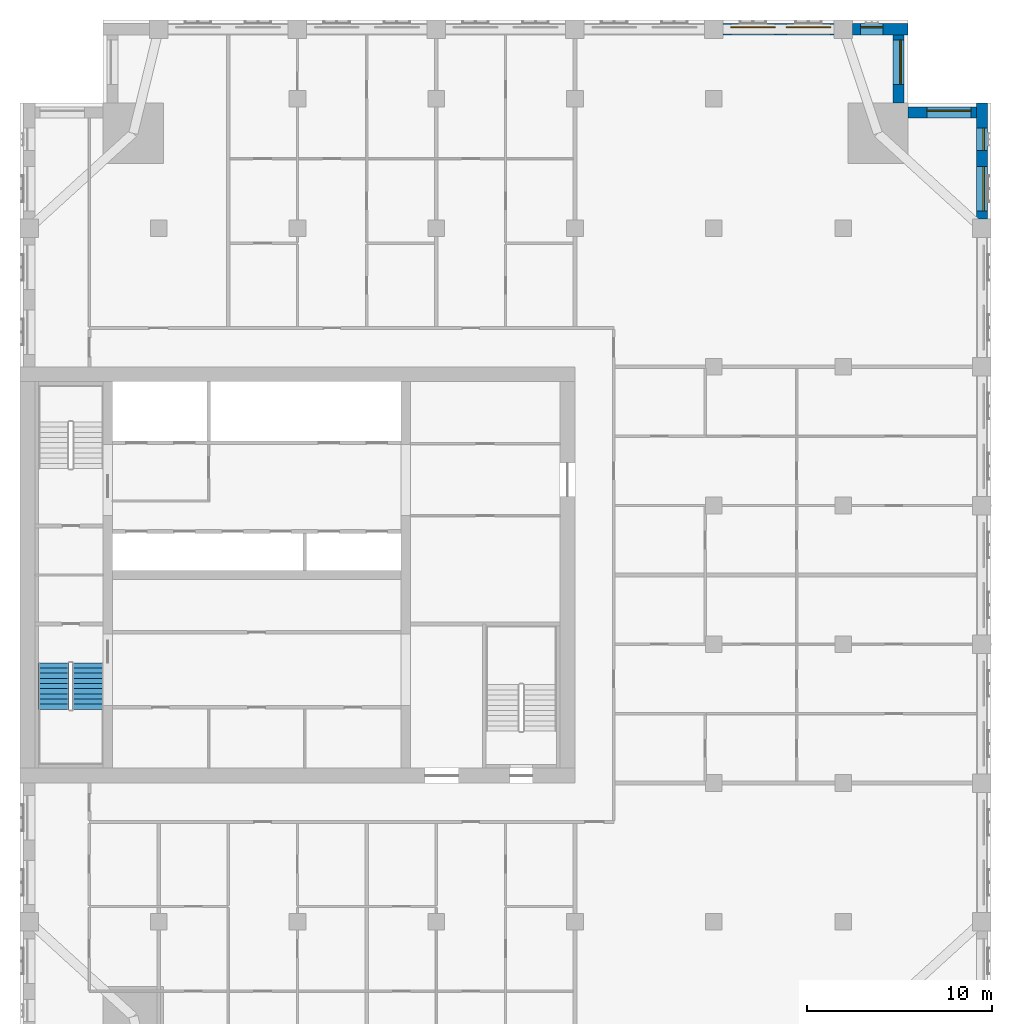
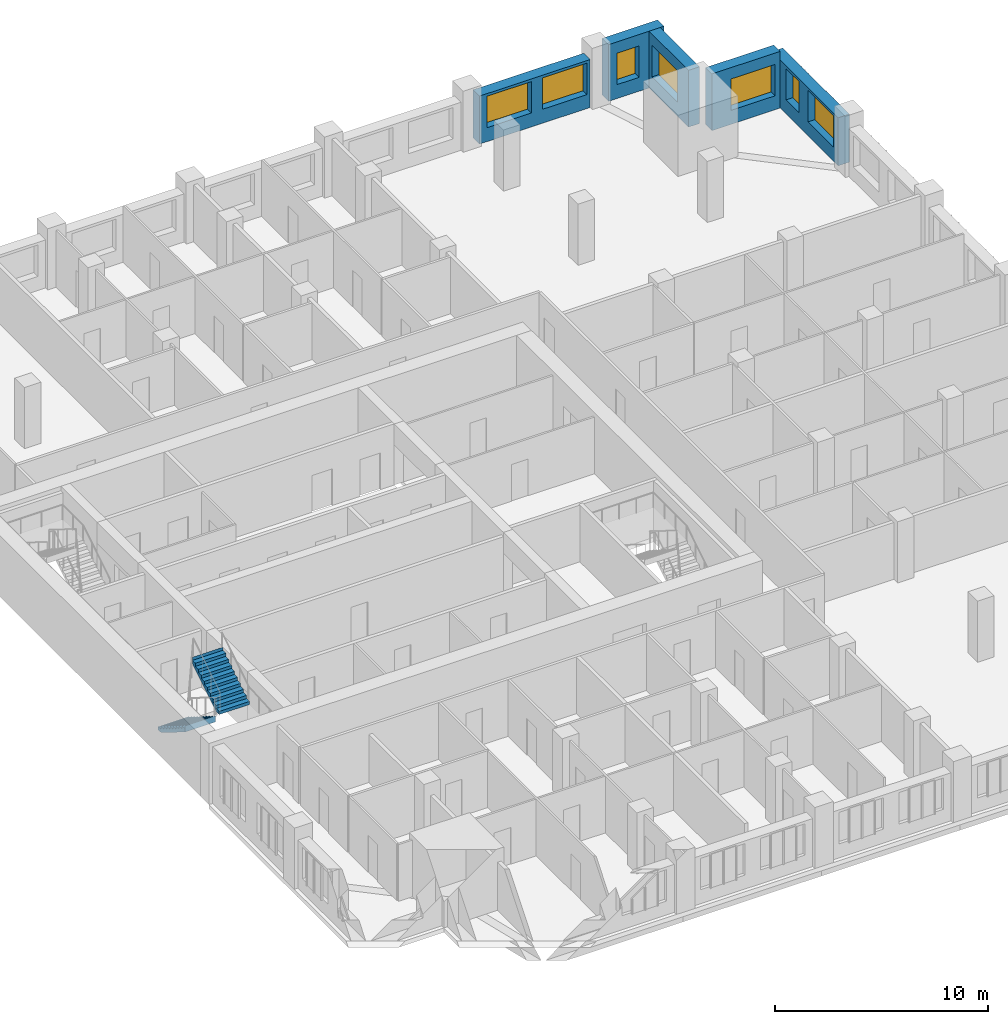
# One storey, part 12 of 14: 7 windows, 5 walls, 2 stair flights, 7 openings, 1 element without a shape of its own.
"""IFC4 building model written with IfcOpenShell, lengths in metres."""

from ifc_helpers import new_model, si_unit, direction, frame, frame_2d, origin, place, context, subcontext, project, spatial, polyline, rectangle, outline, extrude, material, layer, layer_set, type_object, element, fill, aggregate, save


model = new_model("IFC4")

# Units and contexts
model_context = context("Model", 3, precision=1e-05, world=origin(), true_north=direction((0.0, 1.0)))
body_context = subcontext(model_context, "Body", "Model", "MODEL_VIEW")
ifc_project = project(units=[si_unit("LENGTHUNIT", "METRE"), si_unit("AREAUNIT", "SQUARE_METRE"), si_unit("VOLUMEUNIT", "CUBIC_METRE"), si_unit("PLANEANGLEUNIT", "RADIAN"), si_unit("MASSUNIT", "GRAM", prefix="KILO")], contexts=[model_context])

# Site, building, storey
site_placement = place(None, origin())
site = spatial("IfcSite", under=ifc_project, at=site_placement, CompositionType="ELEMENT")
building_placement = place(site_placement, origin())
building = spatial("IfcBuilding", under=site, at=building_placement, Name="Tamorin Gate", CompositionType="ELEMENT")
storey_placement = place(building_placement, frame((0.0, 0.0, 207.199951171875)))
storey = spatial("IfcBuildingStorey", under=building, at=storey_placement, Name="L51", CompositionType="ELEMENT", Elevation=207.199951171875)

# Wall, openings, windows
ifc_material_1 = material(Name="Precast concrete C40/50", Category="concrete")
ifc_layer = layer(ifc_material_1, 0.60009765625)
ifc_layer_set = layer_set([ifc_layer], Name="Precast concrete C40/50")
wall_type = type_object("IfcWallType", Name="Board-marked concrete facade panel 600", PredefinedType="SOLIDWALL", material=ifc_layer_set)
wall_1_placement = place(storey_placement, frame((82.0, 90.5, 0.0), z_axis=(0.0, 0.0, 1.0), x_axis=(0.0, 1.0, 0.0)))
wall_1 = element("IfcWall", 1, at=wall_1_placement, inside=storey, type_object=wall_type, Name="Facade panel", PredefinedType="SOLIDWALL", context=body_context, shape_type="SweptSolid", body=[
    extrude(rectangle(XDim=6.25, YDim=0.60009765625, at=frame_2d((3.125, 0.0))), origin(), (0.0, 0.0, 1.0), 2.75),
])
opening_1_placement = place(wall_1_placement, frame((0.425048828125, 0.0, 0.800048828125)))
opening_1 = element("IfcOpeningElement", 2, at=opening_1_placement, cuts=wall_1, Name="Opening WN1", PredefinedType="OPENING", context=body_context, shape_type="SweptSolid", body=[
    extrude(rectangle(XDim=2.39990234375, YDim=1.800048828125, at=frame_2d((1.199951171875, 0.89990234375))), frame((0.0, 0.31005859375, 0.0), z_axis=(0.0, -1.0, 0.0), x_axis=(1.0, 0.0, 0.0)), (0.0, 0.0, 1.0), 0.6201171875),
])
opening_2_placement = place(wall_1_placement, frame((3.699951171875, 0.0, 0.800048828125)))
opening_2 = element("IfcOpeningElement", 3, at=opening_2_placement, cuts=wall_1, Name="Opening WN3", PredefinedType="OPENING", context=body_context, shape_type="SweptSolid", body=[
    extrude(rectangle(XDim=1.199951171875, YDim=1.800048828125, at=frame_2d((0.60009765625, 0.89990234375))), frame((0.0, 0.31005859375, 0.0), z_axis=(0.0, -1.0, 0.0), x_axis=(1.0, 0.0, 0.0)), (0.0, 0.0, 1.0), 0.6201171875),
])
ifc_material_2 = material(Name="Clear glass in aluminium frame", Category="aluminium")
window_type_1 = type_object("IfcWindowType", Name="Deep-set window 1200x1800", PartitioningType="SINGLE_PANEL", PredefinedType="WINDOW", material=ifc_material_2)
window_1_placement = place(opening_2_placement, origin())
window_1 = element("IfcWindow", 4, at=window_1_placement, inside=storey, type_object=window_type_1, Name="Deep-set window", OverallHeight=1.800048828125, OverallWidth=1.199951171875, PartitioningType="SINGLE_PANEL", PredefinedType="WINDOW", context=body_context, shape_type="SweptSolid", body=[
    extrude(rectangle(XDim=1.199951171875, YDim=1.800048828125, at=frame_2d((0.60009765625, 0.89990234375))), frame((0.0, -0.070068359375, 0.0), z_axis=(0.0, -1.0, 0.0), x_axis=(1.0, 0.0, 0.0)), (0.0, 0.0, 1.0), 0.06005859375),
])
fill(opening_2, window_1)
window_type_2 = type_object("IfcWindowType", Name="Deep-set window 2400x1800", PartitioningType="SINGLE_PANEL", PredefinedType="WINDOW", material=ifc_material_2)
window_2_placement = place(opening_1_placement, origin())
window_2 = element("IfcWindow", 5, at=window_2_placement, inside=storey, type_object=window_type_2, Name="Deep-set window", OverallHeight=1.800048828125, OverallWidth=2.39990234375, PartitioningType="SINGLE_PANEL", PredefinedType="WINDOW", context=body_context, shape_type="SweptSolid", body=[
    extrude(rectangle(XDim=2.39990234375, YDim=1.800048828125, at=frame_2d((1.199951171875, 0.89990234375))), frame((0.0, -0.070068359375, 0.0), z_axis=(0.0, -1.0, 0.0), x_axis=(1.0, 0.0, 0.0)), (0.0, 0.0, 1.0), 0.06005859375),
])
fill(opening_1, window_2)

# Wall, opening, window
wall_2_placement = place(storey_placement, frame((81.699951171875, 96.25, 0.0), z_axis=(0.0, 0.0, 1.0), x_axis=(-1.0, 0.0, 0.0)))
wall_2 = element("IfcWall", 6, at=wall_2_placement, inside=storey, type_object=wall_type, Name="Facade panel", PredefinedType="SOLIDWALL", context=body_context, shape_type="SweptSolid", body=[
    extrude(rectangle(XDim=3.699951171875, YDim=0.60009765625, at=frame_2d((1.85009765625, 0.0))), origin(), (0.0, 0.0, 1.0), 3.25),
])
opening_3_placement = place(wall_2_placement, frame((0.27490234375, 0.0, 0.800048828125)))
opening_3 = element("IfcOpeningElement", 7, at=opening_3_placement, cuts=wall_2, Name="Opening WN1", PredefinedType="OPENING", context=body_context, shape_type="SweptSolid", body=[
    extrude(rectangle(XDim=2.39990234375, YDim=1.800048828125, at=frame_2d((1.199951171875, 0.89990234375))), frame((0.0, 0.31005859375, 0.0), z_axis=(0.0, -1.0, 0.0), x_axis=(1.0, 0.0, 0.0)), (0.0, 0.0, 1.0), 0.6201171875),
])
window_3_placement = place(opening_3_placement, origin())
window_3 = element("IfcWindow", 8, at=window_3_placement, inside=storey, type_object=window_type_2, Name="Deep-set window", OverallHeight=1.800048828125, OverallWidth=2.39990234375, PartitioningType="SINGLE_PANEL", PredefinedType="WINDOW", context=body_context, shape_type="SweptSolid", body=[
    extrude(rectangle(XDim=2.39990234375, YDim=1.800048828125, at=frame_2d((1.199951171875, 0.89990234375))), frame((0.0, -0.070068359375, 0.0), z_axis=(0.0, -1.0, 0.0), x_axis=(1.0, 0.0, 0.0)), (0.0, 0.0, 1.0), 0.06005859375),
])
fill(opening_3, window_3)

wall_3_placement = place(storey_placement, frame((77.5, 96.75, 0.0), z_axis=(0.0, 0.0, 1.0), x_axis=(0.0, 1.0, 0.0)))
wall_3 = element("IfcWall", 9, at=wall_3_placement, inside=storey, type_object=wall_type, Name="Facade panel", PredefinedType="SOLIDWALL", context=body_context, shape_type="SweptSolid", body=[
    extrude(rectangle(XDim=3.699951171875, YDim=0.60009765625, at=frame_2d((1.85009765625, 0.0))), origin(), (0.0, 0.0, 1.0), 3.25),
])
opening_4_placement = place(wall_3_placement, frame((1.02490234375, 0.0, 0.800048828125)))
opening_4 = element("IfcOpeningElement", 10, at=opening_4_placement, cuts=wall_3, Name="Opening WN1", PredefinedType="OPENING", context=body_context, shape_type="SweptSolid", body=[
    extrude(rectangle(XDim=2.39990234375, YDim=1.800048828125, at=frame_2d((1.199951171875, 0.89990234375))), frame((0.0, 0.31005859375, 0.0), z_axis=(0.0, -1.0, 0.0), x_axis=(1.0, 0.0, 0.0)), (0.0, 0.0, 1.0), 0.6201171875),
])
window_4_placement = place(opening_4_placement, origin())
window_4 = element("IfcWindow", 11, at=window_4_placement, inside=storey, type_object=window_type_2, Name="Deep-set window", OverallHeight=1.800048828125, OverallWidth=2.39990234375, PartitioningType="SINGLE_PANEL", PredefinedType="WINDOW", context=body_context, shape_type="SweptSolid", body=[
    extrude(rectangle(XDim=2.39990234375, YDim=1.800048828125, at=frame_2d((1.199951171875, 0.89990234375))), frame((0.0, -0.070068359375, 0.0), z_axis=(0.0, -1.0, 0.0), x_axis=(1.0, 0.0, 0.0)), (0.0, 0.0, 1.0), 0.06005859375),
])
fill(opening_4, window_4)

wall_4_placement = place(storey_placement, frame((78.0, 100.75, 0.0), z_axis=(0.0, 0.0, 1.0), x_axis=(-1.0, 0.0, 0.0)))
wall_4 = element("IfcWall", 12, at=wall_4_placement, inside=storey, type_object=wall_type, Name="Facade panel", PredefinedType="SOLIDWALL", context=body_context, shape_type="SweptSolid", body=[
    extrude(rectangle(XDim=3.0, YDim=0.60009765625, at=frame_2d((1.5, 0.0))), origin(), (0.0, 0.0, 1.0), 3.25),
])
opening_5_placement = place(wall_4_placement, frame((1.35009765625, 0.0, 0.800048828125)))
opening_5 = element("IfcOpeningElement", 13, at=opening_5_placement, cuts=wall_4, Name="Opening WN3", PredefinedType="OPENING", context=body_context, shape_type="SweptSolid", body=[
    extrude(rectangle(XDim=1.199951171875, YDim=1.800048828125, at=frame_2d((0.60009765625, 0.89990234375))), frame((0.0, 0.31005859375, 0.0), z_axis=(0.0, -1.0, 0.0), x_axis=(1.0, 0.0, 0.0)), (0.0, 0.0, 1.0), 0.6201171875),
])
window_5_placement = place(opening_5_placement, origin())
window_5 = element("IfcWindow", 14, at=window_5_placement, inside=storey, type_object=window_type_1, Name="Deep-set window", OverallHeight=1.800048828125, OverallWidth=1.199951171875, PartitioningType="SINGLE_PANEL", PredefinedType="WINDOW", context=body_context, shape_type="SweptSolid", body=[
    extrude(rectangle(XDim=1.199951171875, YDim=1.800048828125, at=frame_2d((0.60009765625, 0.89990234375))), frame((0.0, -0.070068359375, 0.0), z_axis=(0.0, -1.0, 0.0), x_axis=(1.0, 0.0, 0.0)), (0.0, 0.0, 1.0), 0.06005859375),
])
fill(opening_5, window_5)

# Wall, openings, windows
wall_5_placement = place(storey_placement, frame((74.0, 100.75, 0.0), z_axis=(0.0, 0.0, 1.0), x_axis=(-1.0, 0.0, 0.0)))
wall_5 = element("IfcWall", 15, at=wall_5_placement, inside=storey, type_object=wall_type, Name="Facade panel", PredefinedType="SOLIDWALL", context=body_context, shape_type="SweptSolid", body=[
    extrude(rectangle(XDim=6.0, YDim=0.60009765625, at=frame_2d((3.0, 0.0))), origin(), (0.0, 0.0, 1.0), 2.75),
])
opening_6_placement = place(wall_5_placement, frame((3.175048828125, 0.0, 0.800048828125)))
opening_6 = element("IfcOpeningElement", 16, at=opening_6_placement, cuts=wall_5, Name="Opening WN1", PredefinedType="OPENING", context=body_context, shape_type="SweptSolid", body=[
    extrude(rectangle(XDim=2.39990234375, YDim=1.800048828125, at=frame_2d((1.199951171875, 0.89990234375))), frame((0.0, 0.31005859375, 0.0), z_axis=(0.0, -1.0, 0.0), x_axis=(1.0, 0.0, 0.0)), (0.0, 0.0, 1.0), 0.6201171875),
])
opening_7_placement = place(wall_5_placement, frame((0.175048828125, 0.0, 0.800048828125)))
opening_7 = element("IfcOpeningElement", 17, at=opening_7_placement, cuts=wall_5, Name="Opening WN1", PredefinedType="OPENING", context=body_context, shape_type="SweptSolid", body=[
    extrude(rectangle(XDim=2.39990234375, YDim=1.800048828125, at=frame_2d((1.199951171875, 0.89990234375))), frame((0.0, 0.31005859375, 0.0), z_axis=(0.0, -1.0, 0.0), x_axis=(1.0, 0.0, 0.0)), (0.0, 0.0, 1.0), 0.6201171875),
])
window_6_placement = place(opening_6_placement, origin())
window_6 = element("IfcWindow", 18, at=window_6_placement, inside=storey, type_object=window_type_2, Name="Deep-set window", OverallHeight=1.800048828125, OverallWidth=2.39990234375, PartitioningType="SINGLE_PANEL", PredefinedType="WINDOW", context=body_context, shape_type="SweptSolid", body=[
    extrude(rectangle(XDim=2.39990234375, YDim=1.800048828125, at=frame_2d((1.199951171875, 0.89990234375))), frame((0.0, -0.070068359375, 0.0), z_axis=(0.0, -1.0, 0.0), x_axis=(1.0, 0.0, 0.0)), (0.0, 0.0, 1.0), 0.06005859375),
])
fill(opening_6, window_6)
window_7_placement = place(opening_7_placement, origin())
window_7 = element("IfcWindow", 19, at=window_7_placement, inside=storey, type_object=window_type_2, Name="Deep-set window", OverallHeight=1.800048828125, OverallWidth=2.39990234375, PartitioningType="SINGLE_PANEL", PredefinedType="WINDOW", context=body_context, shape_type="SweptSolid", body=[
    extrude(rectangle(XDim=2.39990234375, YDim=1.800048828125, at=frame_2d((1.199951171875, 0.89990234375))), frame((0.0, -0.070068359375, 0.0), z_axis=(0.0, -1.0, 0.0), x_axis=(1.0, 0.0, 0.0)), (0.0, 0.0, 1.0), 0.06005859375),
])
fill(opening_7, window_7)

# Stair, stair flights
ifc_material_3 = material(Name="Concrete C40/50", Category="concrete")
stair_type = type_object("IfcStairType", Name="Exit stair", PredefinedType="HALF_TURN_STAIR", material=ifc_material_3)
stair_placement = place(storey_placement, origin())
stair = element("IfcStair", 20, at=stair_placement, inside=storey, type_object=stair_type, Name="L51 stair ST1", PredefinedType="HALF_TURN_STAIR")
stair_flight_type = type_object("IfcStairFlightType", Name="Exit stair flight", PredefinedType="STRAIGHT", material=ifc_material_3)
stair_flight_1_placement = place(storey_placement, frame((31.824951171875, 66.5, 0.0), z_axis=(0.0, 0.0, 1.0), x_axis=(0.0, -1.0, 0.0)))
stair_flight_1 = element("IfcStairFlight", 21, at=stair_flight_1_placement, type_object=stair_flight_type, Name="ST1 flight 1", NumberOfRisers=10, NumberOfTreads=9, PredefinedType="STRAIGHT", RiserHeight=0.175, TreadLength=0.28, context=body_context, shape_type="SweptSolid", body=[
    extrude(outline(polyline([(-0.00048828125, 0.0), (-0.00048828125, 0.001708984375), (-0.00048828125, 0.00341796875), (-0.00048828125, 0.005126953125), (-0.00048828125, 0.0068359375), (-0.00048828125, 0.008544921875), (-0.00048828125, 0.010498046875), (-0.00048828125, 0.01220703125), (-0.00048828125, 0.013916015625), (-0.00048828125, 0.015625), (-0.00048828125, 0.017333984375), (-0.00048828125, 0.01904296875), (-0.00048828125, 0.020751953125), (-0.00048828125, 0.0224609375), (-0.00048828125, 0.024169921875), (-0.00048828125, 0.02587890625), (-0.00048828125, 0.02783203125), (-0.00048828125, 0.029541015625), (-0.00048828125, 0.03125), (-0.00048828125, 0.032958984375), (-0.00048828125, 0.03466796875), (-0.00048828125, 0.036376953125), (-0.00048828125, 0.0380859375), (-0.00048828125, 0.039794921875), (-0.00048828125, 0.04150390625), (-0.00048828125, 0.043212890625), (-0.00048828125, 0.045166015625), (-0.00048828125, 0.046875), (-0.00048828125, 0.048583984375), (-0.00048828125, 0.05029296875), (-0.00048828125, 0.052001953125), (-0.00048828125, 0.0537109375), (-0.00048828125, 0.055419921875), (-0.00048828125, 0.05712890625), (-0.00048828125, 0.058837890625), (-0.00048828125, 0.060546875), (-0.00048828125, 0.062255859375), (-0.00048828125, 0.064208984375), (-0.00048828125, 0.06591796875), (-0.00048828125, 0.067626953125), (-0.00048828125, 0.0693359375), (-0.00048828125, 0.071044921875), (-0.00048828125, 0.07275390625), (-0.00048828125, 0.074462890625), (-0.00048828125, 0.076171875), (-0.00048828125, 0.077880859375), (-0.00048828125, 0.07958984375), (-0.00048828125, 0.08154296875), (-0.00048828125, 0.083251953125), (-0.00048828125, 0.0849609375), (-0.00048828125, 0.086669921875), (-0.00048828125, 0.08837890625), (-0.00048828125, 0.090087890625), (-0.00048828125, 0.091796875), (-0.00048828125, 0.093505859375), (-0.00048828125, 0.09521484375), (-0.00048828125, 0.096923828125), (-0.00048828125, 0.098876953125), (-0.00048828125, 0.1005859375), (-0.00048828125, 0.102294921875), (-0.00048828125, 0.10400390625), (-0.00048828125, 0.105712890625), (-0.00048828125, 0.107421875), (-0.00048828125, 0.109130859375), (-0.00048828125, 0.11083984375), (-0.00048828125, 0.112548828125), (-0.00048828125, 0.1142578125), (-0.00048828125, 0.1162109375), (-0.00048828125, 0.117919921875), (-0.00048828125, 0.11962890625), (-0.00048828125, 0.121337890625), (-0.00048828125, 0.123046875), (-0.00048828125, 0.124755859375), (-0.00048828125, 0.12646484375), (-0.00048828125, 0.128173828125), (-0.00048828125, 0.1298828125), (-0.00048828125, 0.131591796875), (-0.00048828125, 0.13330078125), (-0.00048828125, 0.13525390625), (-0.00048828125, 0.136962890625), (-0.00048828125, 0.138671875), (-0.00048828125, 0.140380859375), (-0.00048828125, 0.14208984375), (-0.00048828125, 0.143798828125), (-0.00048828125, 0.1455078125), (-0.00048828125, 0.147216796875), (-0.00048828125, 0.14892578125), (-0.00048828125, 0.150634765625), (-0.00048828125, 0.152587890625), (-0.00048828125, 0.154296875), (-0.00048828125, 0.156005859375), (-0.00048828125, 0.15771484375), (-0.00048828125, 0.159423828125), (-0.00048828125, 0.1611328125), (-0.00048828125, 0.162841796875), (-0.00048828125, 0.16455078125), (-0.00048828125, 0.166259765625), (-0.00048828125, 0.16796875), (-0.00048828125, 0.169921875), (-0.00048828125, 0.171630859375), (-0.00048828125, 0.17333984375), (-0.00048828125, 0.175048828125), (0.280029296875, 0.175048828125), (0.280029296875, 0.35009765625), (0.56005859375, 0.35009765625), (0.56005859375, 0.52490234375), (0.840087890625, 0.52490234375), (0.840087890625, 0.699951171875), (1.1201171875, 0.699951171875), (1.1201171875, 0.875), (1.39990234375, 0.875), (1.39990234375, 1.050048828125), (1.679931640625, 1.050048828125), (1.679931640625, 1.22509765625), (1.9599609375, 1.22509765625), (1.9599609375, 1.39990234375), (2.239990234375, 1.39990234375), (2.239990234375, 1.574951171875), (2.52001953125, 1.574951171875), (2.52001953125, 1.75), (2.5205078125, 1.75), (2.5205078125, 1.74658203125), (2.5205078125, 1.742919921875), (2.5205078125, 1.739501953125), (2.5205078125, 1.736083984375), (2.5205078125, 1.732666015625), (2.5205078125, 1.72900390625), (2.5205078125, 1.7255859375), (2.5205078125, 1.72216796875), (2.5205078125, 1.71875), (2.5205078125, 1.715087890625), (2.5205078125, 1.711669921875), (2.5205078125, 1.708251953125), (2.5205078125, 1.704833984375), (2.5205078125, 1.701171875), (2.5205078125, 1.69775390625), (2.5205078125, 1.6943359375), (2.5205078125, 1.690673828125), (2.5205078125, 1.687255859375), (2.5205078125, 1.683837890625), (2.5205078125, 1.680419921875), (2.5205078125, 1.6767578125), (2.5205078125, 1.67333984375), (2.5205078125, 1.669921875), (2.5205078125, 1.66650390625), (2.5205078125, 1.662841796875), (2.5205078125, 1.659423828125), (2.5205078125, 1.656005859375), (2.5205078125, 1.652587890625), (2.5205078125, 1.64892578125), (2.5205078125, 1.6455078125), (2.5205078125, 1.64208984375), (2.5205078125, 1.638427734375), (2.5205078125, 1.635009765625), (2.5205078125, 1.631591796875), (2.5205078125, 1.628173828125), (2.5205078125, 1.62451171875), (2.5205078125, 1.62109375), (2.5205078125, 1.61767578125), (2.5205078125, 1.6142578125), (2.5205078125, 1.610595703125), (2.5205078125, 1.607177734375), (2.5205078125, 1.603759765625), (2.5205078125, 1.600341796875), (2.5205078125, 1.5966796875), (2.5205078125, 1.59326171875), (2.5205078125, 1.58984375), (2.5205078125, 1.58642578125), (2.5205078125, 1.582763671875), (2.5205078125, 1.579345703125), (2.5205078125, 1.575927734375), (2.5205078125, 1.572265625), (2.5205078125, 1.56884765625), (2.5205078125, 1.5654296875), (2.5205078125, 1.56201171875), (2.5205078125, 1.558349609375), (2.5205078125, 1.554931640625), (2.5205078125, 1.551513671875), (2.5205078125, 1.548095703125), (2.5205078125, 1.54443359375), (2.5205078125, 1.541015625), (2.5205078125, 1.53759765625), (2.5205078125, 1.5341796875), (2.5205078125, 1.530517578125), (2.5205078125, 1.527099609375), (2.5205078125, 1.523681640625), (2.5205078125, 1.52001953125), (2.5205078125, 1.5166015625), (2.5205078125, 1.51318359375), (2.5205078125, 1.509765625), (2.5205078125, 1.506103515625), (2.5205078125, 1.502685546875), (2.5205078125, 1.499267578125), (2.5205078125, 1.495849609375), (2.5205078125, 1.4921875), (2.5205078125, 1.48876953125), (2.5205078125, 1.4853515625), (2.5205078125, 1.48193359375), (2.5205078125, 1.478271484375), (2.5205078125, 1.474853515625), (2.5205078125, 1.471435546875), (2.5205078125, 1.4677734375), (2.5205078125, 1.46435546875), (2.5205078125, 1.4609375), (2.5205078125, 1.45751953125), (2.5205078125, 1.453857421875), (2.5205078125, 1.450439453125), (2.5205078125, 1.447021484375), (2.5205078125, 1.443603515625), (2.5205078125, 1.43994140625), (2.5205078125, 1.4365234375), (2.5205078125, 1.43310546875), (2.5205078125, 1.4296875), (2.5205078125, 1.426025390625), (2.5205078125, 1.422607421875), (2.5205078125, 1.419189453125), (2.5205078125, 1.41552734375), (2.5205078125, 1.412109375), (2.5205078125, 1.40869140625), (2.5205078125, 1.4052734375), (2.5205078125, 1.401611328125), (2.5205078125, 1.398193359375), (2.52001953125, 1.398193359375), (0.28271484375, 0.0), (-0.00048828125, 0.0)])), frame((0.0, 0.824951171875, 0.0), z_axis=(0.0, -1.0, 0.0), x_axis=(1.0, 0.0, 0.0)), (0.0, 0.0, 1.0), 1.64990234375),
])
stair_flight_2_placement = place(storey_placement, frame((33.675048828125, 63.97998046875, 1.75), z_axis=(0.0, 0.0, 1.0), x_axis=(0.0, 1.0, 0.0)))
stair_flight_2 = element("IfcStairFlight", 22, at=stair_flight_2_placement, type_object=stair_flight_type, Name="ST1 flight 2", NumberOfRisers=10, NumberOfTreads=9, PredefinedType="STRAIGHT", RiserHeight=0.175, TreadLength=0.28, context=body_context, shape_type="SweptSolid", body=[
    extrude(outline(polyline([(-0.00048828125, 0.0), (-0.00048828125, 0.001708984375), (-0.00048828125, 0.00341796875), (-0.00048828125, 0.005126953125), (-0.00048828125, 0.0068359375), (-0.00048828125, 0.008544921875), (-0.00048828125, 0.010498046875), (-0.00048828125, 0.01220703125), (-0.00048828125, 0.013916015625), (-0.00048828125, 0.015625), (-0.00048828125, 0.017333984375), (-0.00048828125, 0.01904296875), (-0.00048828125, 0.020751953125), (-0.00048828125, 0.0224609375), (-0.00048828125, 0.024169921875), (-0.00048828125, 0.02587890625), (-0.00048828125, 0.02783203125), (-0.00048828125, 0.029541015625), (-0.00048828125, 0.03125), (-0.00048828125, 0.032958984375), (-0.00048828125, 0.03466796875), (-0.00048828125, 0.036376953125), (-0.00048828125, 0.0380859375), (-0.00048828125, 0.039794921875), (-0.00048828125, 0.04150390625), (-0.00048828125, 0.043212890625), (-0.00048828125, 0.045166015625), (-0.00048828125, 0.046875), (-0.00048828125, 0.048583984375), (-0.00048828125, 0.05029296875), (-0.00048828125, 0.052001953125), (-0.00048828125, 0.0537109375), (-0.00048828125, 0.055419921875), (-0.00048828125, 0.05712890625), (-0.00048828125, 0.058837890625), (-0.00048828125, 0.060546875), (-0.00048828125, 0.062255859375), (-0.00048828125, 0.064208984375), (-0.00048828125, 0.06591796875), (-0.00048828125, 0.067626953125), (-0.00048828125, 0.0693359375), (-0.00048828125, 0.071044921875), (-0.00048828125, 0.07275390625), (-0.00048828125, 0.074462890625), (-0.00048828125, 0.076171875), (-0.00048828125, 0.077880859375), (-0.00048828125, 0.07958984375), (-0.00048828125, 0.08154296875), (-0.00048828125, 0.083251953125), (-0.00048828125, 0.0849609375), (-0.00048828125, 0.086669921875), (-0.00048828125, 0.08837890625), (-0.00048828125, 0.090087890625), (-0.00048828125, 0.091796875), (-0.00048828125, 0.093505859375), (-0.00048828125, 0.09521484375), (-0.00048828125, 0.096923828125), (-0.00048828125, 0.098876953125), (-0.00048828125, 0.1005859375), (-0.00048828125, 0.102294921875), (-0.00048828125, 0.10400390625), (-0.00048828125, 0.105712890625), (-0.00048828125, 0.107421875), (-0.00048828125, 0.109130859375), (-0.00048828125, 0.11083984375), (-0.00048828125, 0.112548828125), (-0.00048828125, 0.1142578125), (-0.00048828125, 0.1162109375), (-0.00048828125, 0.117919921875), (-0.00048828125, 0.11962890625), (-0.00048828125, 0.121337890625), (-0.00048828125, 0.123046875), (-0.00048828125, 0.124755859375), (-0.00048828125, 0.12646484375), (-0.00048828125, 0.128173828125), (-0.00048828125, 0.1298828125), (-0.00048828125, 0.131591796875), (-0.00048828125, 0.13330078125), (-0.00048828125, 0.13525390625), (-0.00048828125, 0.136962890625), (-0.00048828125, 0.138671875), (-0.00048828125, 0.140380859375), (-0.00048828125, 0.14208984375), (-0.00048828125, 0.143798828125), (-0.00048828125, 0.1455078125), (-0.00048828125, 0.147216796875), (-0.00048828125, 0.14892578125), (-0.00048828125, 0.150634765625), (-0.00048828125, 0.152587890625), (-0.00048828125, 0.154296875), (-0.00048828125, 0.156005859375), (-0.00048828125, 0.15771484375), (-0.00048828125, 0.159423828125), (-0.00048828125, 0.1611328125), (-0.00048828125, 0.162841796875), (-0.00048828125, 0.16455078125), (-0.00048828125, 0.166259765625), (-0.00048828125, 0.16796875), (-0.00048828125, 0.169921875), (-0.00048828125, 0.171630859375), (-0.00048828125, 0.17333984375), (-0.00048828125, 0.175048828125), (0.280029296875, 0.175048828125), (0.280029296875, 0.35009765625), (0.56005859375, 0.35009765625), (0.56005859375, 0.52490234375), (0.840087890625, 0.52490234375), (0.840087890625, 0.699951171875), (1.1201171875, 0.699951171875), (1.1201171875, 0.875), (1.39990234375, 0.875), (1.39990234375, 1.050048828125), (1.679931640625, 1.050048828125), (1.679931640625, 1.22509765625), (1.9599609375, 1.22509765625), (1.9599609375, 1.39990234375), (2.239990234375, 1.39990234375), (2.239990234375, 1.574951171875), (2.52001953125, 1.574951171875), (2.52001953125, 1.75), (2.5205078125, 1.75), (2.5205078125, 1.74658203125), (2.5205078125, 1.742919921875), (2.5205078125, 1.739501953125), (2.5205078125, 1.736083984375), (2.5205078125, 1.732666015625), (2.5205078125, 1.72900390625), (2.5205078125, 1.7255859375), (2.5205078125, 1.72216796875), (2.5205078125, 1.71875), (2.5205078125, 1.715087890625), (2.5205078125, 1.711669921875), (2.5205078125, 1.708251953125), (2.5205078125, 1.704833984375), (2.5205078125, 1.701171875), (2.5205078125, 1.69775390625), (2.5205078125, 1.6943359375), (2.5205078125, 1.690673828125), (2.5205078125, 1.687255859375), (2.5205078125, 1.683837890625), (2.5205078125, 1.680419921875), (2.5205078125, 1.6767578125), (2.5205078125, 1.67333984375), (2.5205078125, 1.669921875), (2.5205078125, 1.66650390625), (2.5205078125, 1.662841796875), (2.5205078125, 1.659423828125), (2.5205078125, 1.656005859375), (2.5205078125, 1.652587890625), (2.5205078125, 1.64892578125), (2.5205078125, 1.6455078125), (2.5205078125, 1.64208984375), (2.5205078125, 1.638427734375), (2.5205078125, 1.635009765625), (2.5205078125, 1.631591796875), (2.5205078125, 1.628173828125), (2.5205078125, 1.62451171875), (2.5205078125, 1.62109375), (2.5205078125, 1.61767578125), (2.5205078125, 1.6142578125), (2.5205078125, 1.610595703125), (2.5205078125, 1.607177734375), (2.5205078125, 1.603759765625), (2.5205078125, 1.600341796875), (2.5205078125, 1.5966796875), (2.5205078125, 1.59326171875), (2.5205078125, 1.58984375), (2.5205078125, 1.58642578125), (2.5205078125, 1.582763671875), (2.5205078125, 1.579345703125), (2.5205078125, 1.575927734375), (2.5205078125, 1.572265625), (2.5205078125, 1.56884765625), (2.5205078125, 1.5654296875), (2.5205078125, 1.56201171875), (2.5205078125, 1.558349609375), (2.5205078125, 1.554931640625), (2.5205078125, 1.551513671875), (2.5205078125, 1.548095703125), (2.5205078125, 1.54443359375), (2.5205078125, 1.541015625), (2.5205078125, 1.53759765625), (2.5205078125, 1.5341796875), (2.5205078125, 1.530517578125), (2.5205078125, 1.527099609375), (2.5205078125, 1.523681640625), (2.5205078125, 1.52001953125), (2.5205078125, 1.5166015625), (2.5205078125, 1.51318359375), (2.5205078125, 1.509765625), (2.5205078125, 1.506103515625), (2.5205078125, 1.502685546875), (2.5205078125, 1.499267578125), (2.5205078125, 1.495849609375), (2.5205078125, 1.4921875), (2.5205078125, 1.48876953125), (2.5205078125, 1.4853515625), (2.5205078125, 1.48193359375), (2.5205078125, 1.478271484375), (2.5205078125, 1.474853515625), (2.5205078125, 1.471435546875), (2.5205078125, 1.4677734375), (2.5205078125, 1.46435546875), (2.5205078125, 1.4609375), (2.5205078125, 1.45751953125), (2.5205078125, 1.453857421875), (2.5205078125, 1.450439453125), (2.5205078125, 1.447021484375), (2.5205078125, 1.443603515625), (2.5205078125, 1.43994140625), (2.5205078125, 1.4365234375), (2.5205078125, 1.43310546875), (2.5205078125, 1.4296875), (2.5205078125, 1.426025390625), (2.5205078125, 1.422607421875), (2.5205078125, 1.419189453125), (2.5205078125, 1.41552734375), (2.5205078125, 1.412109375), (2.5205078125, 1.40869140625), (2.5205078125, 1.4052734375), (2.5205078125, 1.401611328125), (2.5205078125, 1.398193359375), (2.52001953125, 1.398193359375), (0.28271484375, 0.0), (-0.00048828125, 0.0)])), frame((0.0, 0.824951171875, 0.0), z_axis=(0.0, -1.0, 0.0), x_axis=(1.0, 0.0, 0.0)), (0.0, 0.0, 1.0), 1.64990234375),
])
aggregate(stair, [stair_flight_1, stair_flight_2])

save(model, "model.ifc")
